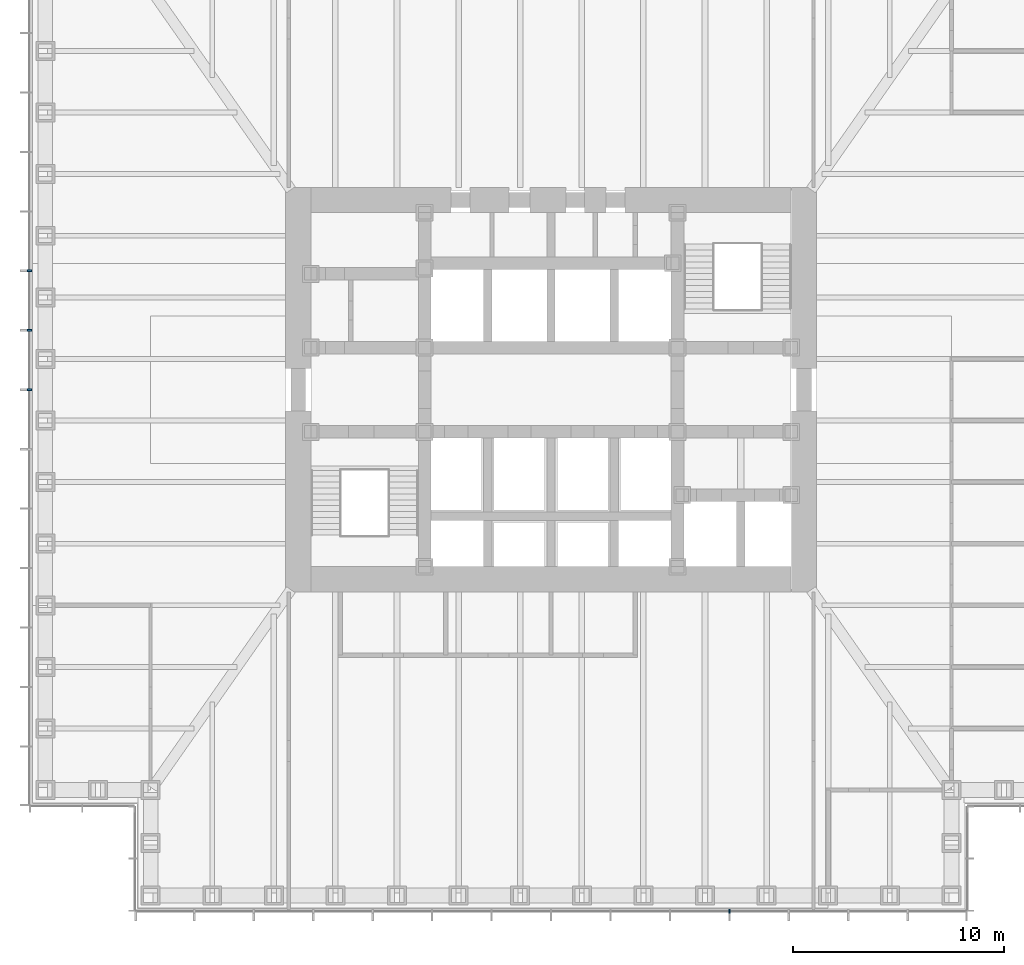
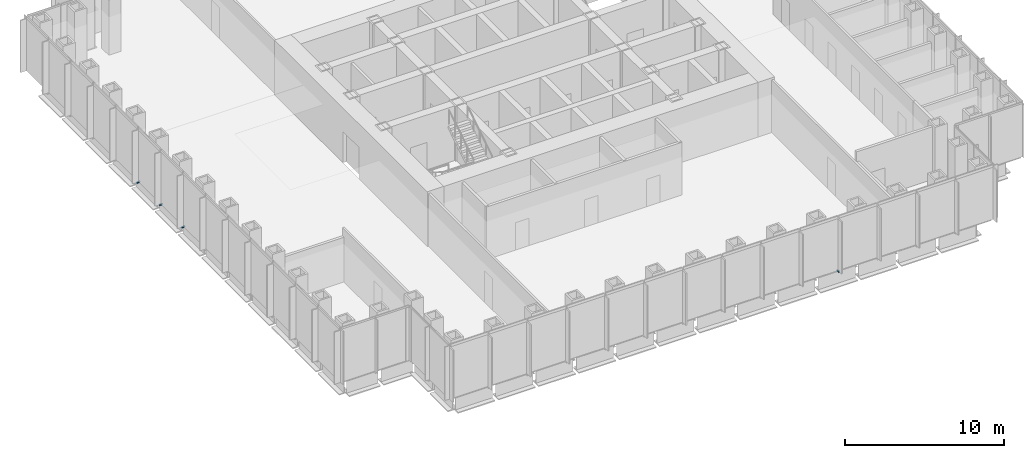
# One storey, part 12 of 16: 4 discrete accessories.
"""IFC4 building model written with IfcOpenShell, lengths in metres."""

from ifc_helpers import new_model, si_unit, direction, frame, origin, origin_2d, place, context, subcontext, project, spatial, rectangle, extrude, element, save


model = new_model("IFC4")

# Units and contexts
model_context = context("Model", 3, precision=1e-05, world=origin(), true_north=direction((0.0, 1.0)))
body_context = subcontext(model_context, "Body", "Model", "MODEL_VIEW")
ifc_project = project(units=[si_unit("LENGTHUNIT", "METRE"), si_unit("AREAUNIT", "SQUARE_METRE"), si_unit("VOLUMEUNIT", "CUBIC_METRE"), si_unit("PLANEANGLEUNIT", "RADIAN"), si_unit("MASSUNIT", "GRAM", prefix="KILO")], contexts=[model_context])

# Site, building, storey
site_placement = place(None, origin())
site = spatial("IfcSite", under=ifc_project, at=site_placement, CompositionType="ELEMENT")
building_placement = place(site_placement, origin())
building = spatial("IfcBuilding", under=site, at=building_placement, Name="Daluyong Arena Tower", CompositionType="ELEMENT")
storey_placement = place(building_placement, frame((0.0, 0.0, 72.699951171875)))
storey = spatial("IfcBuildingStorey", under=building, at=storey_placement, Name="L15", CompositionType="ELEMENT", Elevation=72.699951171875)

# Discrete accessories
for number, where, z_axis, x_axis, name in (
    (1, (64.46435546875, 55.25, -0.10009765625), (0.0, 0.0, 1.0), (1.0, 0.0, 0.0), "curtain wall L15 S anchor bracket 11"),
    (2, (31.25, 85.642822265625, -0.10009765625), (0.0, 0.0, 1.0), (0.0, -1.0, 0.0), "curtain wall L15 W anchor bracket 6"),
    (3, (31.25, 82.821533203125, -0.10009765625), (0.0, 0.0, 1.0), (0.0, -1.0, 0.0), "curtain wall L15 W anchor bracket 7"),
    (4, (31.25, 80.0, -0.10009765625), (0.0, 0.0, 1.0), (0.0, -1.0, 0.0), "curtain wall L15 W anchor bracket 8"),
):
    element("IfcDiscreteAccessory", number, at=place(storey_placement, frame(where, z_axis=z_axis, x_axis=x_axis)), inside=storey, Name=name, PredefinedType="BRACKET", context=body_context, shape_type="SweptSolid", body=[
        extrude(rectangle(XDim=0.080078125, YDim=0.199951171875, at=origin_2d()), origin(), (0.0, 0.0, 1.0), 0.10009765625),
    ])

save(model, "model.ifc")
